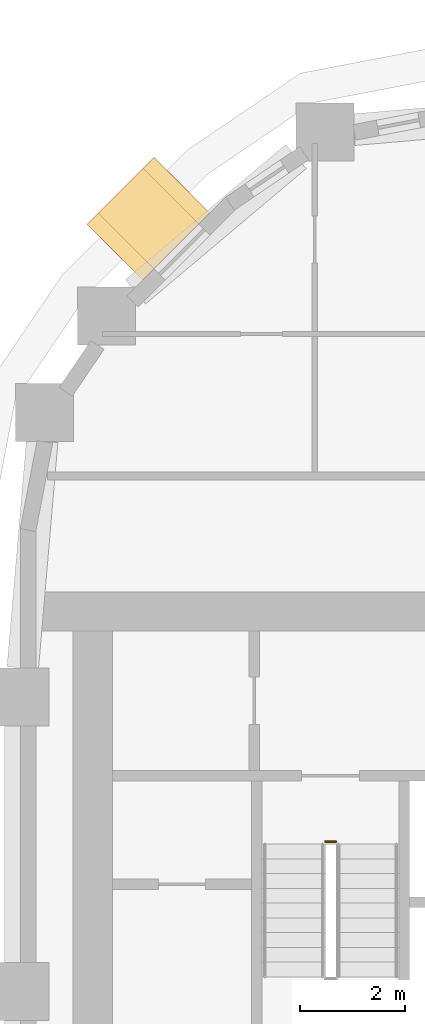
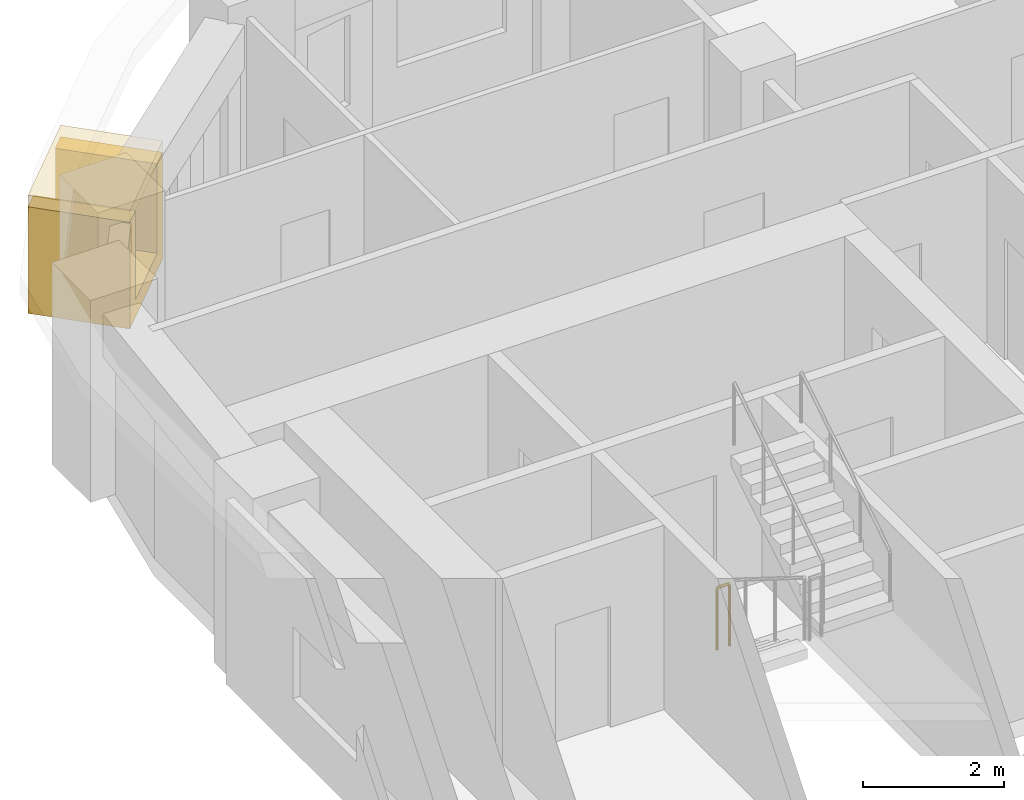
# One storey, part 20 of 22: 2 coverings, 1 railing.
"""IFC4 building model written with IfcOpenShell, lengths in metres."""

from ifc_helpers import new_model, si_unit, direction, frame, origin, origin_2d, place, context, subcontext, project, spatial, polyline, rectangle, circle, outline, extrude, material, layer, layer_set, type_object, element, save


model = new_model("IFC4")

# Units and contexts
model_context = context("Model", 3, precision=1e-05, world=origin(), true_north=direction((0.0, 1.0)))
body_context = subcontext(model_context, "Body", "Model", "MODEL_VIEW")
ifc_project = project(units=[si_unit("LENGTHUNIT", "METRE"), si_unit("AREAUNIT", "SQUARE_METRE"), si_unit("VOLUMEUNIT", "CUBIC_METRE"), si_unit("PLANEANGLEUNIT", "RADIAN"), si_unit("MASSUNIT", "GRAM", prefix="KILO")], contexts=[model_context])

# Site, building, storey
site_placement = place(None, origin())
site = spatial("IfcSite", under=ifc_project, at=site_placement, CompositionType="ELEMENT")
building_placement = place(site_placement, origin())
building = spatial("IfcBuilding", under=site, at=building_placement, Name="Kiln Ring Residences", CompositionType="ELEMENT")
storey_placement = place(building_placement, frame((0.0, 0.0, 143.10009765625)))
storey = spatial("IfcBuildingStorey", under=building, at=storey_placement, Name="L36", CompositionType="ELEMENT", Elevation=143.10009765625)

# Railing
ifc_material_1 = material(Name="Stainless steel", Category="steel")
railing_type = type_object("IfcRailingType", Name="CORE-STAIR-GUARD", PredefinedType="GUARDRAIL", material=ifc_material_1)
railing_placement = place(storey_placement, frame((-22.199951171875, 8.449951171875, 0.0)))
element("IfcRailing", 1, at=railing_placement, inside=storey, type_object=railing_type, Name="L36 W-STN stair guard 4", PredefinedType="GUARDRAIL", context=body_context, shape_type="SweptSolid", body=[
    extrude(circle(Radius=0.02392578125, at=origin_2d()), frame((0.0, 0.0, 1.076171875), z_axis=(1.0, 0.0, 0.0), x_axis=(0.0, 1.0, 0.0)), (0.0, 0.0, 1.0), 0.199951171875),
    extrude(circle(Radius=0.02099609375, at=origin_2d()), origin(), (0.0, 0.0, 1.0), 1.052001953125),
    extrude(circle(Radius=0.02099609375, at=origin_2d()), frame((0.199951171875, 0.0, 0.0)), (0.0, 0.0, 1.0), 1.052001953125),
])

# Coverings
ifc_material_2 = material(Name="Brick masonry, dark clay brick", Category="masonry")
ifc_layer_1 = layer(ifc_material_2, 0.300048828125)
ifc_layer_set_1 = layer_set([ifc_layer_1], Name="FRAME CHEEKS AND SILL 1500")
covering_type_1 = type_object("IfcCoveringType", Name="FRAME CHEEKS AND SILL 1500", PredefinedType="CLADDING", material=ifc_layer_set_1)
covering_1_placement = place(storey_placement, frame((-24.927978515625, 20.932861328125, 0.2998046875), z_axis=(0.0, 0.0, 1.0), x_axis=(-0.707038962956, -0.707174592913, 0.0)))
element("IfcCovering", 2, at=covering_1_placement, inside=storey, type_object=covering_type_1, Name="FRAME L36", PredefinedType="CLADDING", context=body_context, shape_type="SweptSolid", body=[
    extrude(outline(polyline([(0.0, 0.0), (1.800048828125, 0.0), (1.800048828125, 1.85009765625), (1.5009765625, 1.85009765625), (1.5, 0.300048828125), (0.300048828125, 0.300048828125), (0.299072265625, 1.85009765625), (0.0, 1.85009765625), (0.0, 0.0)])), frame((0.0, 0.75, 0.0), z_axis=(0.0, -1.0, 0.0), x_axis=(1.0, 0.0, 0.0)), (0.0, 0.0, 1.0), 1.5),
])
ifc_material_3 = material(Name="Brick masonry, dark clay brick", Category="masonry")
ifc_layer_2 = layer(ifc_material_3, 0.199951171875)
ifc_layer_set_2 = layer_set([ifc_layer_2], Name="FRAME HEAD 1500")
covering_type_2 = type_object("IfcCoveringType", Name="FRAME HEAD 1500", PredefinedType="CLADDING", material=ifc_layer_set_2)
covering_2_placement = place(storey_placement, frame((-25.564208984375, 20.29638671875, 2.14990234375), z_axis=(0.0, 0.0, 1.0), x_axis=(-0.707106781187, -0.707106781187, 0.0)))
element("IfcCovering", 3, at=covering_2_placement, inside=storey, type_object=covering_type_2, Name="FRAME HEAD L36", PredefinedType="CLADDING", context=body_context, shape_type="SweptSolid", body=[
    extrude(rectangle(XDim=1.800048828125, YDim=1.5, at=origin_2d()), origin(), (0.0, 0.0, 1.0), 0.199951171875),
])

save(model, "model.ifc")
